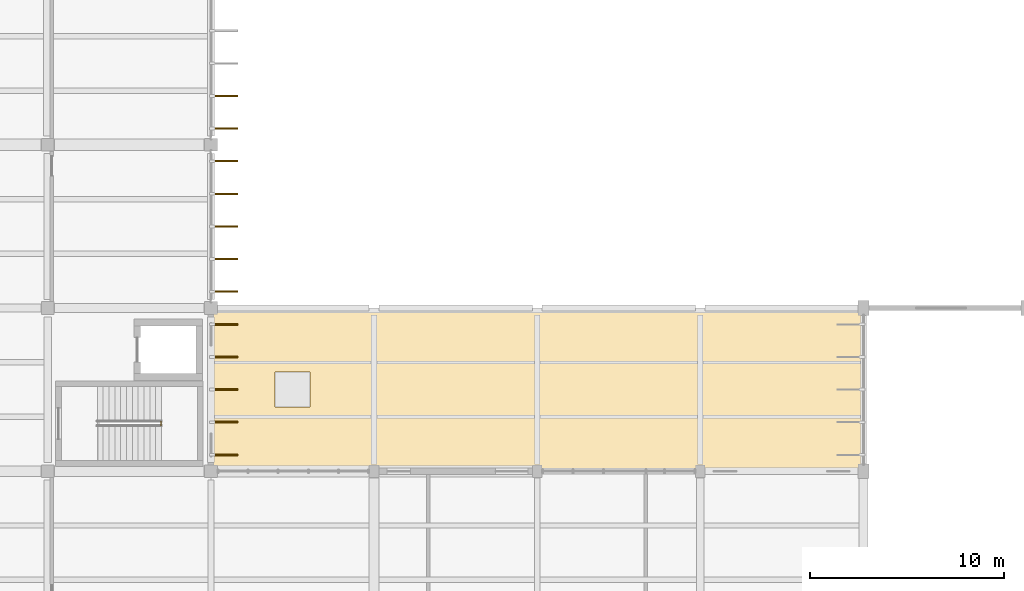
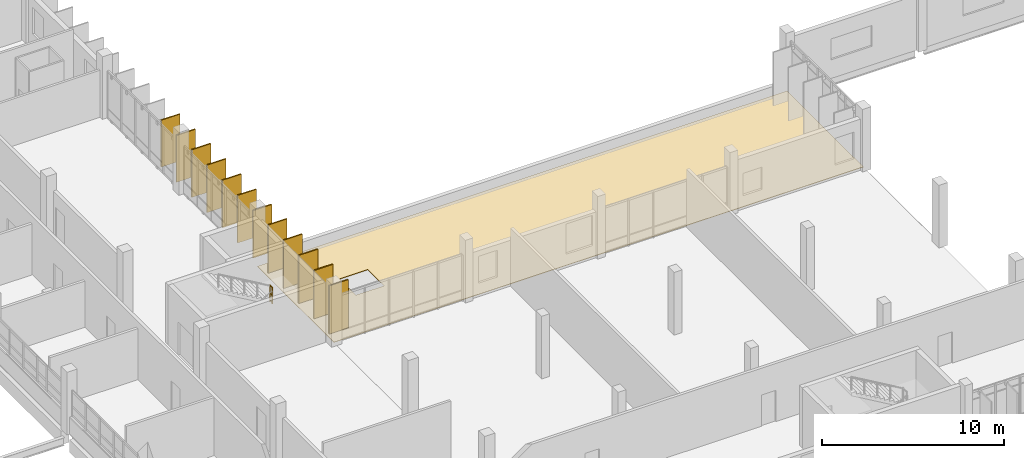
# One storey, part 97 of 101: 12 shading devices, 1 covering, 1 railing.
"""IFC4 building model written with IfcOpenShell, lengths in metres."""

from ifc_helpers import new_model, si_unit, direction, frame, origin, origin_2d, place, context, subcontext, project, spatial, polyline, rectangle, circle, outline, extrude, material, layer, layer_set, material_profile, profile_set, type_object, element, save


model = new_model("IFC4")

# Units and contexts
model_context = context("Model", 3, precision=1e-05, world=origin(), true_north=direction((0.0, 1.0)))
body_context = subcontext(model_context, "Body", "Model", "MODEL_VIEW")
ifc_project = project(units=[si_unit("LENGTHUNIT", "METRE"), si_unit("AREAUNIT", "SQUARE_METRE"), si_unit("VOLUMEUNIT", "CUBIC_METRE"), si_unit("PLANEANGLEUNIT", "RADIAN"), si_unit("MASSUNIT", "GRAM", prefix="KILO")], contexts=[model_context])

# Site, building, storey
site_placement = place(None, origin())
site = spatial("IfcSite", under=ifc_project, at=site_placement, CompositionType="ELEMENT")
building_placement = place(site_placement, origin())
building = spatial("IfcBuilding", under=site, at=building_placement, Name="Vireocrest Preparatory School", CompositionType="ELEMENT")
storey_placement = place(building_placement, frame((0.0, 0.0, 4.800048828125)))
storey = spatial("IfcBuildingStorey", under=building, at=storey_placement, Name="L01", CompositionType="ELEMENT", Elevation=4.800048828125)

# Railing
ifc_material_1 = material(Name="Brushed stainless steel AISI 316", Category="steel")
railing_type = type_object("IfcRailingType", Name="Post-and-Rail Guard Balustrade 1120", PredefinedType="BALUSTRADE", material=ifc_material_1)
railing_placement = place(storey_placement, frame((106.6298828125, 46.1298828125, 2.099853515625)))
element("IfcRailing", 1, at=railing_placement, inside=storey, type_object=railing_type, Name="Half-Landing Well Guard ST2-L01", PredefinedType="BALUSTRADE", context=body_context, shape_type="SweptSolid", body=[
    extrude(circle(Radius=0.02392578125, at=origin_2d()), frame((0.0, 0.0, 1.09619140625), z_axis=(0.0, 1.0, 0.0), x_axis=(-1.0, 0.0, 0.0)), (0.0, 0.0, 1.0), 0.240234375),
    extrude(circle(Radius=0.01806640625, at=origin_2d()), frame((0.0, 0.0, 0.56005859375), z_axis=(0.0, 1.0, 0.0), x_axis=(-1.0, 0.0, 0.0)), (0.0, 0.0, 1.0), 0.240234375),
    extrude(circle(Radius=0.01806640625, at=origin_2d()), frame((0.0, 0.0, 0.10009765625), z_axis=(0.0, 1.0, 0.0), x_axis=(-1.0, 0.0, 0.0)), (0.0, 0.0, 1.0), 0.240234375),
    extrude(circle(Radius=0.02099609375, at=origin_2d()), origin(), (0.0, 0.0, 1.0), 1.072021484375),
    extrude(circle(Radius=0.02099609375, at=origin_2d()), frame((0.0, 0.240234375, 0.0)), (0.0, 0.0, 1.0), 1.072021484375),
])

# Covering
ifc_material_2 = material(Name="TPO single-ply insulated roofing membrane")
ifc_layer = layer(ifc_material_2, 0.030029296875)
ifc_layer_set = layer_set([ifc_layer], Name="TPO single-ply insulated roofing membrane")
covering_type = type_object("IfcCoveringType", Name="TPO Insulated Single-Ply Roof Membrane", PredefinedType="ROOFING", material=ifc_layer_set)
covering_placement = place(storey_placement, origin())
element("IfcCovering", 2, at=covering_placement, inside=storey, type_object=covering_type, Name="Roof Membrane L01_EAST_LINK_ROOF_N", PredefinedType="ROOFING", context=body_context, shape_type="SweptSolid", body=[
    extrude(outline(polyline([(109.199951171875, 43.800048828125), (142.800048828125, 43.800048828125), (142.800048828125, 52.199951171875), (109.199951171875, 52.199951171875), (109.199951171875, 43.800048828125)]), holes=[polyline([(112.5, 47.10009765625), (114.300048828125, 47.10009765625), (114.300048828125, 48.89990234375), (112.5, 48.89990234375), (112.5, 47.10009765625)])]), origin(), (0.0, 0.0, 1.0), 0.030029296875),
])

# Shading devices
ifc_material_3 = material(Name="Warm anodised aluminium EN AW-6063-T6", Category="aluminium")
ifc_material_profile = material_profile(ifc_material_3, rectangle(XDim=0.080078125, YDim=1.199951171875, at=origin_2d()), Name="FIN 80x1200")
ifc_profile_set = profile_set([ifc_material_profile], Name="Warm anodised aluminium EN AW-6063-T6")
shading_device_type = type_object("IfcShadingDeviceType", Name="Vertical Anodised Aluminium Solar Fin 1200", PredefinedType="USERDEFINED", material=ifc_profile_set)
for number, where, z_axis, x_axis, name in (
    (3, (109.97998046875, 44.639892578125, 0.02001953125), (0.0, 0.0, 1.0), (0.0, -1.0, 0.0), "Vertical Solar Fin FN1 L01-7-1"),
    (4, (109.97998046875, 46.320068359375, 0.02001953125), (0.0, 0.0, 1.0), (0.0, -1.0, 0.0), "Vertical Solar Fin FN1 L01-7-2"),
    (5, (109.97998046875, 48.0, 0.02001953125), (0.0, 0.0, 1.0), (0.0, -1.0, 0.0), "Vertical Solar Fin FN1 L01-7-3"),
    (6, (109.97998046875, 49.679931640625, 0.02001953125), (0.0, 0.0, 1.0), (0.0, -1.0, 0.0), "Vertical Solar Fin FN1 L01-7-4"),
    (7, (109.97998046875, 51.360107421875, 0.02001953125), (0.0, 0.0, 1.0), (0.0, -1.0, 0.0), "Vertical Solar Fin FN1 L01-7-5"),
):
    element("IfcShadingDevice", number, at=place(storey_placement, frame(where, z_axis=z_axis, x_axis=x_axis)), inside=storey, type_object=shading_device_type, Name=name, ObjectType="FIN", PredefinedType="USERDEFINED", context=body_context, shape_type="SweptSolid", body=[
        extrude(rectangle(XDim=0.080078125, YDim=1.199951171875, at=origin_2d()), origin(), (0.0, 0.0, 1.0), 3.239990234375),
    ])
for number, where, z_axis, x_axis, name in (
    (8, (109.97998046875, 53.0400390625, 0.02001953125), (0.0, 0.0, 1.0), (0.0, -1.0, 0.0), "Vertical Solar Fin FN1 L01-8-1"),
    (9, (109.97998046875, 54.719970703125, 0.02001953125), (0.0, 0.0, 1.0), (0.0, -1.0, 0.0), "Vertical Solar Fin FN1 L01-8-2"),
    (10, (109.97998046875, 56.39990234375, 0.02001953125), (0.0, 0.0, 1.0), (0.0, -1.0, 0.0), "Vertical Solar Fin FN1 L01-8-3"),
    (11, (109.97998046875, 58.080078125, 0.02001953125), (0.0, 0.0, 1.0), (0.0, -1.0, 0.0), "Vertical Solar Fin FN1 L01-8-4"),
    (12, (109.97998046875, 59.760009765625, 0.02001953125), (0.0, 0.0, 1.0), (0.0, -1.0, 0.0), "Vertical Solar Fin FN1 L01-8-5"),
):
    element("IfcShadingDevice", number, at=place(storey_placement, frame(where, z_axis=z_axis, x_axis=x_axis)), inside=storey, type_object=shading_device_type, Name=name, ObjectType="FIN", PredefinedType="USERDEFINED", context=body_context, shape_type="SweptSolid", body=[
        extrude(rectangle(XDim=0.080078125, YDim=1.199951171875, at=origin_2d()), origin(), (0.0, 0.0, 1.0), 3.18994140625),
    ])
for number, where, z_axis, x_axis, name in (
    (13, (109.97998046875, 61.43994140625, 0.02001953125), (0.0, 0.0, 1.0), (0.0, -1.0, 0.0), "Vertical Solar Fin FN1 L01-9-1"),
    (14, (109.97998046875, 63.1201171875, 0.02001953125), (0.0, 0.0, 1.0), (0.0, -1.0, 0.0), "Vertical Solar Fin FN1 L01-9-2"),
):
    element("IfcShadingDevice", number, at=place(storey_placement, frame(where, z_axis=z_axis, x_axis=x_axis)), inside=storey, type_object=shading_device_type, Name=name, ObjectType="FIN", PredefinedType="USERDEFINED", context=body_context, shape_type="SweptSolid", body=[
        extrude(rectangle(XDim=0.080078125, YDim=1.199951171875, at=origin_2d()), origin(), (0.0, 0.0, 1.0), 3.139892578125),
    ])

save(model, "model.ifc")
